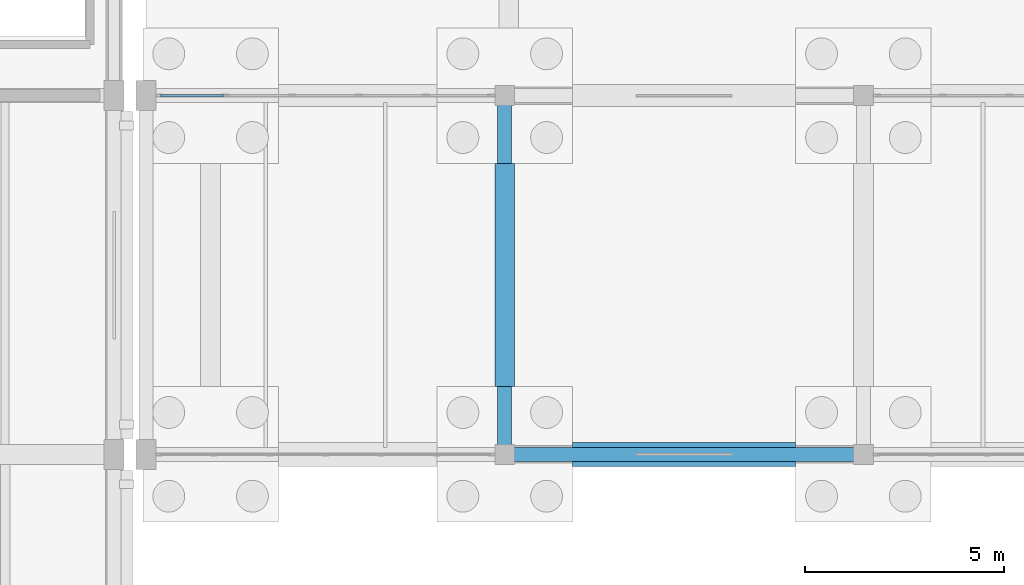
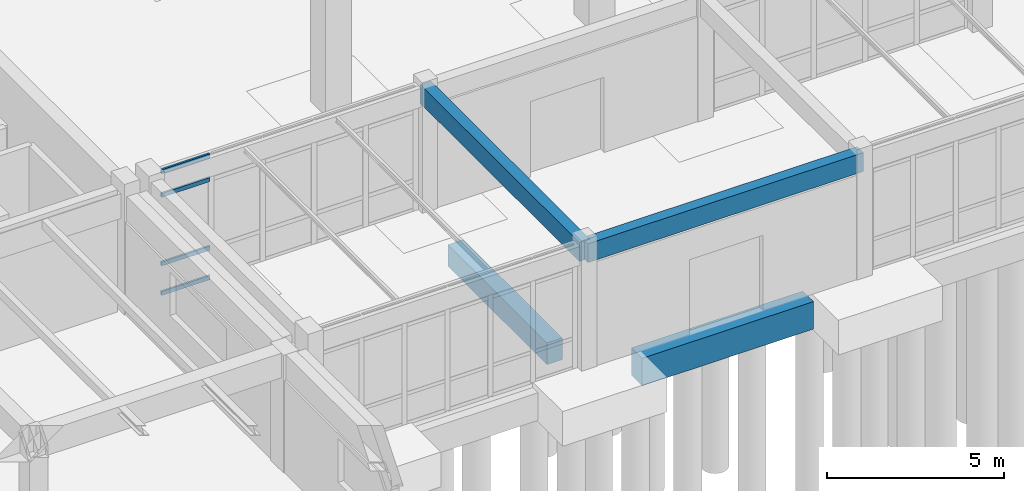
# One storey, part 107 of 186: 4 beams, 4 members, 1 element without a shape of its own.
"""IFC4 building model written with IfcOpenShell, lengths in metres."""

from ifc_helpers import new_model, si_unit, direction, frame, origin, origin_2d, place, context, subcontext, project, spatial, rectangle, hollow_rectangle, extrude, material, layer, layer_set, material_profile, profile_set, type_object, element, aggregate, save


model = new_model("IFC4")

# Units and contexts
model_context = context("Model", 3, precision=1e-05, world=origin(), true_north=direction((0.0, 1.0)))
body_context = subcontext(model_context, "Body", "Model", "MODEL_VIEW")
ifc_project = project(units=[si_unit("LENGTHUNIT", "METRE"), si_unit("AREAUNIT", "SQUARE_METRE"), si_unit("VOLUMEUNIT", "CUBIC_METRE"), si_unit("PLANEANGLEUNIT", "RADIAN"), si_unit("MASSUNIT", "GRAM", prefix="KILO")], contexts=[model_context])

# Site, building, storey
site_placement = place(None, origin())
site = spatial("IfcSite", under=ifc_project, at=site_placement, CompositionType="ELEMENT")
building_placement = place(site_placement, origin())
building = spatial("IfcBuilding", under=site, at=building_placement, Name="Ornek Quay Market", CompositionType="ELEMENT")
storey_placement = place(building_placement, origin())
storey = spatial("IfcBuildingStorey", under=building, at=storey_placement, Name="L00", CompositionType="ELEMENT", Elevation=0.0)

# Beams
ifc_material_1 = material(Name="Concrete C35/45", Category="concrete")
ifc_material_profile_1 = material_profile(ifc_material_1, rectangle(XDim=0.35009765625, YDim=0.64990234375, at=origin_2d()), Name="RC 350x650", Category="concrete")
ifc_profile_set_1 = profile_set([ifc_material_profile_1], Name="Concrete C35/45")
beam_type_1 = type_object("IfcBeamType", Name="BM-CONC-350x650", PredefinedType="BEAM", material=ifc_profile_set_1)
for number, where, z_axis, x_axis, name in (
    (1, (135.0, 20.0, 3.945068359375), (1.0, 0.0, 0.0), (0.0, 1.0, 0.0), "Primary beam B-CN1-088"),
    (2, (135.0, 20.0, 3.945068359375), (0.0, 1.0, 0.0), (-1.0, 0.0, 0.0), "Primary beam B-CN1-094"),
):
    element("IfcBeam", number, at=place(storey_placement, frame(where, z_axis=z_axis, x_axis=x_axis)), inside=storey, type_object=beam_type_1, Name=name, PredefinedType="BEAM", context=body_context, shape_type="SweptSolid", body=[
        extrude(rectangle(XDim=0.35009765625, YDim=0.64990234375, at=origin_2d()), origin(), (0.0, 0.0, 1.0), 9.0),
    ])
ifc_material_profile_2 = material_profile(ifc_material_1, rectangle(XDim=0.5, YDim=0.75, at=origin_2d()), Name="RC 500x750", Category="concrete")
ifc_profile_set_2 = profile_set([ifc_material_profile_2], Name="Concrete C35/45")
beam_type_2 = type_object("IfcBeamType", Name="BM-GB-500x750", PredefinedType="BEAM", material=ifc_profile_set_2)
beam_1_placement = place(storey_placement, frame((135.0, 21.699951171875, -0.574951171875), z_axis=(0.0, 1.0, 0.0), x_axis=(-1.0, 0.0, 0.0)))
element("IfcBeam", 3, at=beam_1_placement, inside=storey, type_object=beam_type_2, Name="Ground tie beam GB-366", PredefinedType="BEAM", context=body_context, shape_type="SweptSolid", body=[
    extrude(rectangle(XDim=0.5, YDim=0.75, at=origin_2d()), origin(), (0.0, 0.0, 1.0), 5.60009765625),
])
ifc_material_profile_3 = material_profile(ifc_material_1, rectangle(XDim=0.60009765625, YDim=0.949951171875, at=origin_2d()), Name="RC 600x950", Category="concrete")
ifc_profile_set_3 = profile_set([ifc_material_profile_3], Name="Concrete C35/45")
beam_type_3 = type_object("IfcBeamType", Name="BM-GB-600x950", PredefinedType="BEAM", material=ifc_profile_set_3)
beam_2_placement = place(storey_placement, frame((136.699951171875, 20.0, -0.675048828125), z_axis=(1.0, 0.0, 0.0), x_axis=(0.0, 1.0, 0.0)))
element("IfcBeam", 4, at=beam_2_placement, inside=storey, type_object=beam_type_3, Name="Ground tie beam GB-308", PredefinedType="BEAM", context=body_context, shape_type="SweptSolid", body=[
    extrude(rectangle(XDim=0.60009765625, YDim=0.949951171875, at=origin_2d()), origin(), (0.0, 0.0, 1.0), 5.60009765625),
])

# Curtain wall, members
ifc_material_2 = material(Name="Anodised bronze aluminium and triple low-e glass", Category="aluminium")
ifc_layer = layer(ifc_material_2, 0.199951171875, Name="Anodised bronze aluminium and triple low-e glass", Category="aluminium")
ifc_layer_set = layer_set([ifc_layer], Name="Anodised bronze aluminium and triple low-e glass")
curtain_wall_type = type_object("IfcCurtainWallType", Name="CW-CONC-MOD1800", PredefinedType="USERDEFINED", material=ifc_layer_set)
curtain_wall_placement = place(storey_placement, origin())
curtain_wall = element("IfcCurtainWall", 5, at=curtain_wall_placement, inside=storey, type_object=curtain_wall_type, Name="Curtain wall CW-027", ObjectType="CURTAIN WALL", PredefinedType="USERDEFINED")
ifc_material_3 = material(Name="Anodised aluminium 6063-T6", Category="aluminium")
ifc_material_profile_4 = material_profile(ifc_material_3, hollow_rectangle(XDim=0.06494140625, YDim=0.139892578125, WallThickness=0.00439453125, at=origin_2d()), Name="CW-TRN-65x140", Category="aluminium")
ifc_profile_set_4 = profile_set([ifc_material_profile_4], Name="Anodised aluminium 6063-T6")
member_type = type_object("IfcMemberType", Name="CW-TRN-65x140", PredefinedType="USERDEFINED", material=ifc_profile_set_4)
member_1_placement = place(storey_placement, frame((126.364990234375, 29.0, 0.032470703125), z_axis=(1.0, 0.0, 0.0), x_axis=(0.0, 1.0, 0.0)))
member_1 = element("IfcMember", 6, at=member_1_placement, type_object=member_type, Name="CW-027 transom 1.1", ObjectType="TRANSOM", PredefinedType="USERDEFINED", context=body_context, shape_type="SweptSolid", body=[
    extrude(hollow_rectangle(XDim=0.06494140625, YDim=0.139892578125, WallThickness=0.00439453125, at=origin_2d()), origin(), (0.0, 0.0, 1.0), 1.58251953125),
])
member_2_placement = place(storey_placement, frame((126.364990234375, 29.0, 1.050048828125), z_axis=(1.0, 0.0, 0.0), x_axis=(0.0, 1.0, 0.0)))
member_2 = element("IfcMember", 7, at=member_2_placement, type_object=member_type, Name="CW-027 transom 1.2", ObjectType="TRANSOM", PredefinedType="USERDEFINED", context=body_context, shape_type="SweptSolid", body=[
    extrude(hollow_rectangle(XDim=0.06494140625, YDim=0.139892578125, WallThickness=0.00439453125, at=origin_2d()), origin(), (0.0, 0.0, 1.0), 1.58251953125),
])
member_3_placement = place(storey_placement, frame((126.364990234375, 29.0, 3.419921875), z_axis=(1.0, 0.0, 0.0), x_axis=(0.0, 1.0, 0.0)))
member_3 = element("IfcMember", 8, at=member_3_placement, type_object=member_type, Name="CW-027 transom 1.3", ObjectType="TRANSOM", PredefinedType="USERDEFINED", context=body_context, shape_type="SweptSolid", body=[
    extrude(hollow_rectangle(XDim=0.06494140625, YDim=0.139892578125, WallThickness=0.00439453125, at=origin_2d()), origin(), (0.0, 0.0, 1.0), 1.58251953125),
])
member_4_placement = place(storey_placement, frame((126.364990234375, 29.0, 4.237548828125), z_axis=(1.0, 0.0, 0.0), x_axis=(0.0, 1.0, 0.0)))
member_4 = element("IfcMember", 9, at=member_4_placement, type_object=member_type, Name="CW-027 transom 1.4", ObjectType="TRANSOM", PredefinedType="USERDEFINED", context=body_context, shape_type="SweptSolid", body=[
    extrude(hollow_rectangle(XDim=0.06494140625, YDim=0.139892578125, WallThickness=0.00439453125, at=origin_2d()), origin(), (0.0, 0.0, 1.0), 1.58251953125),
])
aggregate(curtain_wall, [member_1, member_2, member_3, member_4])

save(model, "model.ifc")
